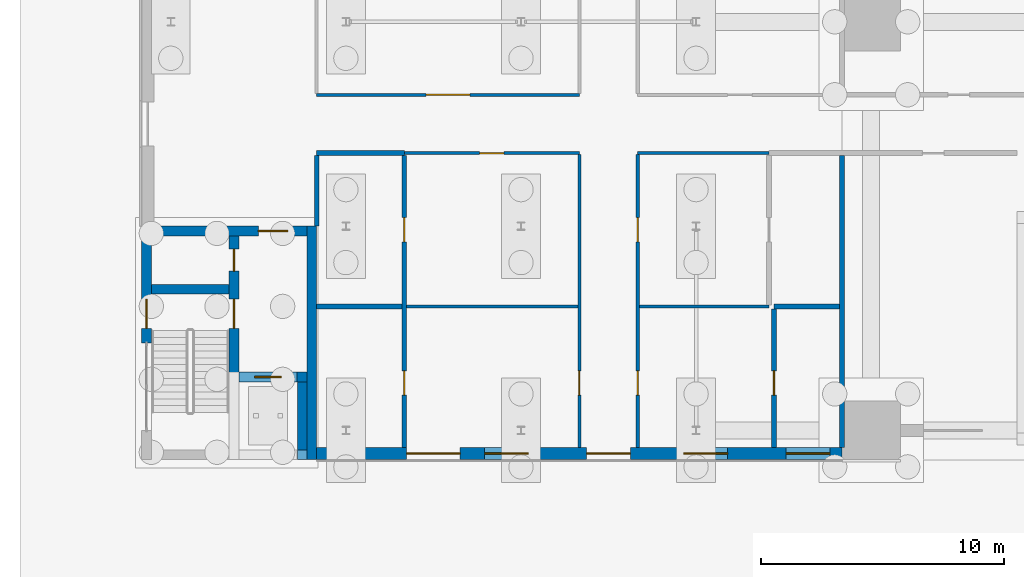
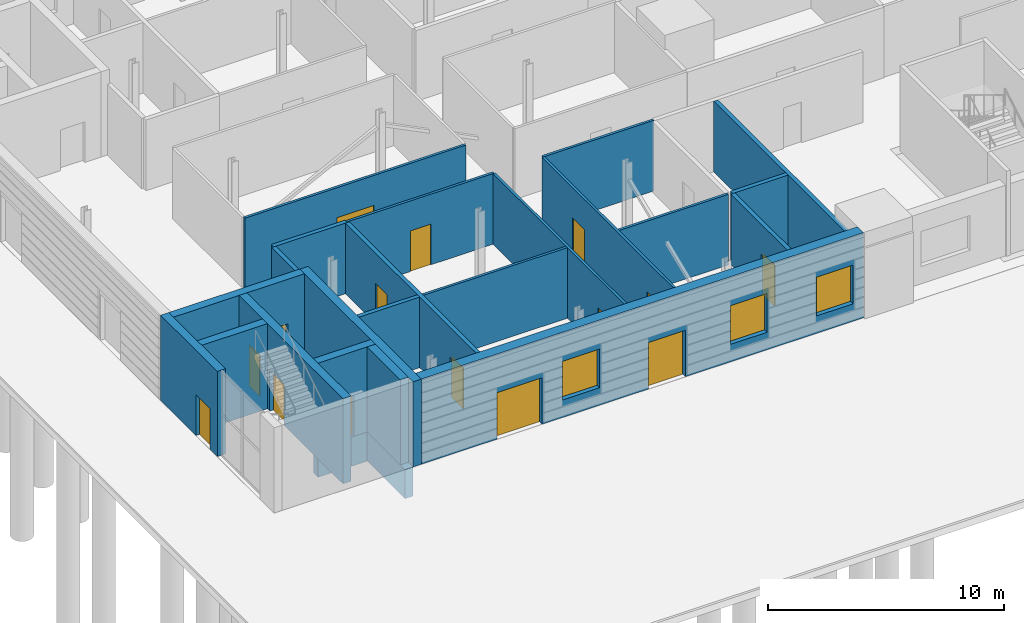
# One storey, part 77 of 139: 24 walls, 15 doors, 3 windows, 18 openings.
"""IFC4 building model written with IfcOpenShell, lengths in metres."""

from ifc_helpers import new_model, si_unit, direction, frame, frame_2d, origin, place, context, subcontext, project, spatial, rectangle, extrude, material, layer, layer_set, type_object, element, fill, save


model = new_model("IFC4")

# Units and contexts
model_context = context("Model", 3, precision=1e-05, world=origin(), true_north=direction((0.0, 1.0)))
body_context = subcontext(model_context, "Body", "Model", "MODEL_VIEW")
ifc_project = project(units=[si_unit("LENGTHUNIT", "METRE"), si_unit("AREAUNIT", "SQUARE_METRE"), si_unit("VOLUMEUNIT", "CUBIC_METRE"), si_unit("PLANEANGLEUNIT", "RADIAN"), si_unit("MASSUNIT", "GRAM", prefix="KILO")], contexts=[model_context])

# Site, building, storey
site_placement = place(None, origin())
site = spatial("IfcSite", under=ifc_project, at=site_placement, CompositionType="ELEMENT")
building_placement = place(site_placement, origin())
building = spatial("IfcBuilding", under=site, at=building_placement, Name="Verrick Yard Athletic Hall", CompositionType="ELEMENT")
storey_placement = place(building_placement, origin())
storey = spatial("IfcBuildingStorey", under=building, at=storey_placement, Name="L00", CompositionType="ELEMENT", Elevation=0.0)

# Wall, openings, doors
ifc_material_1 = material(Name="Concrete 35 MPa", Category="concrete")
ifc_layer_1 = layer(ifc_material_1, 0.39990234375)
ifc_layer_set_1 = layer_set([ifc_layer_1], Name="Core wall CR400")
wall_type_1 = type_object("IfcWallType", Name="Core wall CR400", PredefinedType="SHEAR", material=ifc_layer_set_1)
wall_1_placement = place(storey_placement, frame((13.800048828125, 18.39990234375, 0.0), z_axis=(0.0, 0.0, 1.0), x_axis=(0.0, 1.0, 0.0)))
wall_1 = element("IfcWall", 1, at=wall_1_placement, inside=storey, type_object=wall_type_1, Name="CORE-CB1-WP-L00", PredefinedType="SHEAR", context=body_context, shape_type="SweptSolid", body=[
    extrude(rectangle(XDim=8.800048828125, YDim=0.39990234375, at=frame_2d((4.39990234375, 0.0))), origin(), (0.0, 0.0, 1.0), 4.39990234375),
])
opening_1_placement = place(wall_1_placement, frame((5.0, 0.0, 0.0)))
opening_1 = element("IfcOpeningElement", 2, at=opening_1_placement, cuts=wall_1, Name="Opening SD1", PredefinedType="OPENING", context=body_context, shape_type="SweptSolid", body=[
    extrude(rectangle(XDim=1.199951171875, YDim=2.10009765625, at=frame_2d((0.60009765625, 1.050048828125))), frame((0.0, 0.2099609375, 0.0), z_axis=(0.0, -1.0, 0.0), x_axis=(1.0, 0.0, 0.0)), (0.0, 0.0, 1.0), 0.419921875),
])
opening_2_placement = place(wall_1_placement, frame((7.35009765625, 0.0, 0.0)))
opening_2 = element("IfcOpeningElement", 3, at=opening_2_placement, cuts=wall_1, Name="Opening RD1", PredefinedType="OPENING", context=body_context, shape_type="SweptSolid", body=[
    extrude(rectangle(XDim=0.89990234375, YDim=2.10009765625, at=frame_2d((0.449951171875, 1.050048828125))), frame((0.0, 0.2099609375, 0.0), z_axis=(0.0, -1.0, 0.0), x_axis=(1.0, 0.0, 0.0)), (0.0, 0.0, 1.0), 0.419921875),
])
ifc_material_2 = material(Name="Hollow metal door leaf")
door_type_1 = type_object("IfcDoorType", Name="Core door RD1 900x2100", OperationType="NOTDEFINED", PredefinedType="DOOR", material=ifc_material_2)
door_1_placement = place(opening_2_placement, origin())
door_1 = element("IfcDoor", 4, at=door_1_placement, inside=storey, type_object=door_type_1, Name="CORE-CB1-WP-L00-DRD1-2620", OperationType="SINGLE_SWING_LEFT", OverallHeight=2.10009765625, OverallWidth=0.89990234375, PredefinedType="DOOR", context=body_context, shape_type="SweptSolid", body=[
    extrude(rectangle(XDim=0.89990234375, YDim=2.10009765625, at=frame_2d((0.449951171875, 1.050048828125))), frame((0.0, 0.02490234375, 0.0), z_axis=(0.0, -1.0, 0.0), x_axis=(1.0, 0.0, 0.0)), (0.0, 0.0, 1.0), 0.050048828125),
])
fill(opening_2, door_1)
door_type_2 = type_object("IfcDoorType", Name="Core door SD1 1200x2100", OperationType="NOTDEFINED", PredefinedType="DOOR", material=ifc_material_2)
door_2_placement = place(opening_1_placement, origin())
door_2 = element("IfcDoor", 5, at=door_2_placement, inside=storey, type_object=door_type_2, Name="CORE-CB1-WP-L00-DSD1-2400", OperationType="SINGLE_SWING_LEFT", OverallHeight=2.10009765625, OverallWidth=1.199951171875, PredefinedType="DOOR", context=body_context, shape_type="SweptSolid", body=[
    extrude(rectangle(XDim=1.199951171875, YDim=2.10009765625, at=frame_2d((0.60009765625, 1.050048828125))), frame((0.0, 0.02490234375, 0.0), z_axis=(0.0, -1.0, 0.0), x_axis=(1.0, 0.0, 0.0)), (0.0, 0.0, 1.0), 0.050048828125),
])
fill(opening_1, door_2)

# Wall
wall_2_placement = place(storey_placement, frame((10.39990234375, 25.0, 0.0), z_axis=(0.0, 0.0, 1.0), x_axis=(1.0, 0.0, 0.0)))
element("IfcWall", 6, at=wall_2_placement, inside=storey, type_object=wall_type_1, Name="CORE-CB1-WSN-L00", PredefinedType="SHEAR", context=body_context, shape_type="SweptSolid", body=[
    extrude(rectangle(XDim=3.2001953125, YDim=0.39990234375, at=frame_2d((1.60009765625, 0.0))), origin(), (0.0, 0.0, 1.0), 4.39990234375),
])

# Wall, opening, door
wall_3_placement = place(storey_placement, frame((14.0, 21.39990234375, 0.0), z_axis=(0.0, 0.0, 1.0), x_axis=(1.0, 0.0, 0.0)))
wall_3 = element("IfcWall", 7, at=wall_3_placement, inside=storey, type_object=wall_type_1, Name="CORE-CB1-WLN-L00", PredefinedType="SHEAR", context=body_context, shape_type="SweptSolid", body=[
    extrude(rectangle(XDim=2.800048828125, YDim=0.39990234375, at=frame_2d((1.39990234375, 0.0))), origin(), (0.0, 0.0, 1.0), 4.39990234375),
])
opening_3_placement = place(wall_3_placement, frame((0.64990234375, 0.0, 0.0)))
opening_3 = element("IfcOpeningElement", 8, at=opening_3_placement, cuts=wall_3, Name="Opening LD", PredefinedType="OPENING", context=body_context, shape_type="SweptSolid", body=[
    extrude(rectangle(XDim=1.10009765625, YDim=2.10009765625, at=frame_2d((0.550048828125, 1.050048828125))), frame((0.0, 0.2099609375, 0.0), z_axis=(0.0, -1.0, 0.0), x_axis=(1.0, 0.0, 0.0)), (0.0, 0.0, 1.0), 0.419921875),
])
ifc_material_3 = material(Name="Stainless steel landing door", Category="steel")
door_type_3 = type_object("IfcDoorType", Name="Lift landing door LD 1100x2100", OperationType="NOTDEFINED", PredefinedType="DOOR", material=ifc_material_3)
door_3_placement = place(opening_3_placement, origin())
door_3 = element("IfcDoor", 9, at=door_3_placement, inside=storey, type_object=door_type_3, Name="Lift landing door", OperationType="SLIDING_TO_LEFT", OverallHeight=2.10009765625, OverallWidth=1.10009765625, PredefinedType="DOOR", context=body_context, shape_type="SweptSolid", body=[
    extrude(rectangle(XDim=1.10009765625, YDim=2.10009765625, at=frame_2d((0.550048828125, 1.050048828125))), frame((0.0, 0.02490234375, 0.0), z_axis=(0.0, -1.0, 0.0), x_axis=(1.0, 0.0, 0.0)), (0.0, 0.0, 1.0), 0.050048828125),
])
fill(opening_3, door_3)

# Walls
wall_4_placement = place(storey_placement, frame((16.60009765625, 18.39990234375, 0.0), z_axis=(0.0, 0.0, 1.0), x_axis=(0.0, 1.0, 0.0)))
element("IfcWall", 10, at=wall_4_placement, inside=storey, type_object=wall_type_1, Name="CORE-CB1-WLE-L00", PredefinedType="SHEAR", context=body_context, shape_type="SweptSolid", body=[
    extrude(rectangle(XDim=2.800048828125, YDim=0.39990234375, at=frame_2d((1.39990234375, 0.0))), origin(), (0.0, 0.0, 1.0), 4.39990234375),
])
wall_5_placement = place(storey_placement, frame((16.60009765625, 18.0, -1.5), z_axis=(0.0, 0.0, 1.0), x_axis=(0.0, 1.0, 0.0)))
element("IfcWall", 11, at=wall_5_placement, inside=storey, type_object=wall_type_1, Name="CORE-LF-CB1-PWE", PredefinedType="SHEAR", context=body_context, shape_type="SweptSolid", body=[
    extrude(rectangle(XDim=3.60009765625, YDim=0.39990234375, at=frame_2d((1.800048828125, 0.0))), origin(), (0.0, 0.0, 1.0), 1.5),
])
wall_6_placement = place(storey_placement, frame((14.0, 21.39990234375, -1.5), z_axis=(0.0, 0.0, 1.0), x_axis=(1.0, 0.0, 0.0)))
element("IfcWall", 12, at=wall_6_placement, inside=storey, type_object=wall_type_1, Name="CORE-LF-CB1-PWN", PredefinedType="SHEAR", context=body_context, shape_type="SweptSolid", body=[
    extrude(rectangle(XDim=2.39990234375, YDim=0.39990234375, at=frame_2d((1.199951171875, 0.0))), origin(), (0.0, 0.0, 1.0), 1.5),
])

# Wall, opening, door
ifc_layer_2 = layer(ifc_material_1, 0.39990234375)
ifc_layer_set_2 = layer_set([ifc_layer_2], Name="External core wall CR400")
wall_type_2 = type_object("IfcWallType", Name="External core wall CR400", PredefinedType="SHEAR", material=ifc_layer_set_2)
wall_7_placement = place(storey_placement, frame((10.199951171875, 22.800048828125, 0.0), z_axis=(0.0, 0.0, 1.0), x_axis=(0.0, 1.0, 0.0)))
wall_7 = element("IfcWall", 13, at=wall_7_placement, inside=storey, type_object=wall_type_2, Name="CORE-CB1-WW-L00-1", PredefinedType="SHEAR", context=body_context, shape_type="SweptSolid", body=[
    extrude(rectangle(XDim=4.800048828125, YDim=0.39990234375, at=frame_2d((2.39990234375, 0.0))), origin(), (0.0, 0.0, 1.0), 4.39990234375),
])
opening_4_placement = place(wall_7_placement, frame((0.60009765625, 0.0, 0.0)))
opening_4 = element("IfcOpeningElement", 14, at=opening_4_placement, cuts=wall_7, Name="Opening XD1", PredefinedType="OPENING", context=body_context, shape_type="SweptSolid", body=[
    extrude(rectangle(XDim=1.199951171875, YDim=2.10009765625, at=frame_2d((0.60009765625, 1.050048828125))), frame((0.0, 0.2099609375, 0.0), z_axis=(0.0, -1.0, 0.0), x_axis=(1.0, 0.0, 0.0)), (0.0, 0.0, 1.0), 0.419921875),
])
ifc_material_4 = material(Name="Aluminium door leaf", Category="aluminium")
door_type_4 = type_object("IfcDoorType", Name="Core door XD1 1200x2100", OperationType="NOTDEFINED", PredefinedType="DOOR", material=ifc_material_4)
door_4_placement = place(opening_4_placement, origin())
door_4 = element("IfcDoor", 15, at=door_4_placement, inside=storey, type_object=door_type_4, Name="CORE-CB1-WW-L00-1-DXD1-2400", OperationType="SINGLE_SWING_LEFT", OverallHeight=2.10009765625, OverallWidth=1.199951171875, PredefinedType="DOOR", context=body_context, shape_type="SweptSolid", body=[
    extrude(rectangle(XDim=1.199951171875, YDim=2.10009765625, at=frame_2d((0.60009765625, 1.050048828125))), frame((0.0, 0.02490234375, 0.0), z_axis=(0.0, -1.0, 0.0), x_axis=(1.0, 0.0, 0.0)), (0.0, 0.0, 1.0), 0.050048828125),
])
fill(opening_4, door_4)

# Wall
wall_8_placement = place(storey_placement, frame((17.0, 18.0, 0.0), z_axis=(0.0, 0.0, 1.0), x_axis=(0.0, 1.0, 0.0)))
element("IfcWall", 16, at=wall_8_placement, inside=storey, type_object=wall_type_2, Name="CORE-CB1-WE-L00", PredefinedType="SHEAR", context=body_context, shape_type="SweptSolid", body=[
    extrude(rectangle(XDim=9.60009765625, YDim=0.39990234375, at=frame_2d((4.800048828125, 0.0))), origin(), (0.0, 0.0, 1.0), 4.39990234375),
])

# Wall, opening, door
wall_9_placement = place(storey_placement, frame((10.39990234375, 27.39990234375, 0.0), z_axis=(0.0, 0.0, 1.0), x_axis=(1.0, 0.0, 0.0)))
wall_9 = element("IfcWall", 17, at=wall_9_placement, inside=storey, type_object=wall_type_2, Name="CORE-CB1-WN-L00", PredefinedType="SHEAR", context=body_context, shape_type="SweptSolid", body=[
    extrude(rectangle(XDim=6.400146484375, YDim=0.39990234375, at=frame_2d((3.2001953125, 0.0))), origin(), (0.0, 0.0, 1.0), 4.39990234375),
])
opening_5_placement = place(wall_9_placement, frame((4.39990234375, 0.0, 0.0)))
opening_5 = element("IfcOpeningElement", 18, at=opening_5_placement, cuts=wall_9, Name="Opening LB1", PredefinedType="OPENING", context=body_context, shape_type="SweptSolid", body=[
    extrude(rectangle(XDim=1.199951171875, YDim=2.10009765625, at=frame_2d((0.60009765625, 1.050048828125))), frame((0.0, 0.2099609375, 0.0), z_axis=(0.0, -1.0, 0.0), x_axis=(1.0, 0.0, 0.0)), (0.0, 0.0, 1.0), 0.419921875),
])
door_type_5 = type_object("IfcDoorType", Name="Core door LB1 1200x2100", OperationType="NOTDEFINED", PredefinedType="DOOR", material=ifc_material_2)
door_5_placement = place(opening_5_placement, origin())
door_5 = element("IfcDoor", 19, at=door_5_placement, inside=storey, type_object=door_type_5, Name="CORE-CB1-WN-L00-DLB1-1540", OperationType="SINGLE_SWING_LEFT", OverallHeight=2.10009765625, OverallWidth=1.199951171875, PredefinedType="DOOR", context=body_context, shape_type="SweptSolid", body=[
    extrude(rectangle(XDim=1.199951171875, YDim=2.10009765625, at=frame_2d((0.60009765625, 1.050048828125))), frame((0.0, 0.02490234375, 0.0), z_axis=(0.0, -1.0, 0.0), x_axis=(1.0, 0.0, 0.0)), (0.0, 0.0, 1.0), 0.050048828125),
])
fill(opening_5, door_5)

# Walls
ifc_material_5 = material(Name="Concrete masonry block 15 MPa", Category="masonry")
ifc_layer_3 = layer(ifc_material_5, 0.199951171875)
ifc_layer_set_3 = layer_set([ifc_layer_3], Name="PW1 Block partition 200")
wall_type_3 = type_object("IfcWallType", Name="PW1 Block partition 200", PredefinedType="PARTITIONING", material=ifc_layer_set_3)
wall_10_placement = place(storey_placement, frame((17.199951171875, 24.300048828125, 0.0), z_axis=(0.0, 0.0, 1.0), x_axis=(1.0, 0.0, 0.0)))
element("IfcWall", 20, at=wall_10_placement, inside=storey, type_object=wall_type_3, Name="Partition PW1", PredefinedType="PARTITIONING", context=body_context, shape_type="SweptSolid", body=[
    extrude(rectangle(XDim=3.5, YDim=0.199951171875, at=frame_2d((1.75, 0.0))), origin(), (0.0, 0.0, 1.0), 3.64990234375),
])
wall_11_placement = place(storey_placement, frame((36.0, 24.300048828125, 0.0), z_axis=(0.0, 0.0, 1.0), x_axis=(1.0, 0.0, 0.0)))
element("IfcWall", 21, at=wall_11_placement, inside=storey, type_object=wall_type_3, Name="Partition PW1", PredefinedType="PARTITIONING", context=body_context, shape_type="SweptSolid", body=[
    extrude(rectangle(XDim=2.699951171875, YDim=0.199951171875, at=frame_2d((1.35009765625, 0.0))), origin(), (0.0, 0.0, 1.0), 3.64990234375),
])
wall_12_placement = place(storey_placement, frame((17.199951171875, 30.60009765625, 0.0), z_axis=(0.0, 0.0, 1.0), x_axis=(1.0, 0.0, 0.0)))
element("IfcWall", 22, at=wall_12_placement, inside=storey, type_object=wall_type_3, Name="Partition PW1", PredefinedType="PARTITIONING", context=body_context, shape_type="SweptSolid", body=[
    extrude(rectangle(XDim=3.60009765625, YDim=0.199951171875, at=frame_2d((1.800048828125, 0.0))), origin(), (0.0, 0.0, 1.0), 3.64990234375),
])
wall_13_placement = place(storey_placement, frame((17.199951171875, 27.60009765625, 0.0), z_axis=(0.0, 0.0, 1.0), x_axis=(0.0, 1.0, 0.0)))
element("IfcWall", 23, at=wall_13_placement, inside=storey, type_object=wall_type_3, Name="Partition PW1", PredefinedType="PARTITIONING", context=body_context, shape_type="SweptSolid", body=[
    extrude(rectangle(XDim=2.89990234375, YDim=0.199951171875, at=frame_2d((1.449951171875, 0.0))), origin(), (0.0, 0.0, 1.0), 3.64990234375),
])

# Wall, openings, doors
wall_14_placement = place(storey_placement, frame((20.800048828125, 18.489990234375, 0.0), z_axis=(0.0, 0.0, 1.0), x_axis=(0.0, 1.0, 0.0)))
wall_14 = element("IfcWall", 24, at=wall_14_placement, inside=storey, type_object=wall_type_3, Name="Partition PW1", PredefinedType="PARTITIONING", context=body_context, shape_type="SweptSolid", body=[
    extrude(rectangle(XDim=12.010009765625, YDim=0.199951171875, at=frame_2d((6.0048828125, 0.0))), origin(), (0.0, 0.0, 1.0), 3.64990234375),
])
opening_6_placement = place(wall_14_placement, frame((2.159912109375, 0.0, 0.0)))
opening_6 = element("IfcOpeningElement", 25, at=opening_6_placement, cuts=wall_14, Name="Opening D1", PredefinedType="OPENING", context=body_context, shape_type="SweptSolid", body=[
    extrude(rectangle(XDim=1.0, YDim=2.10009765625, at=frame_2d((0.5, 1.050048828125))), frame((0.0, 0.10986328125, 0.0), z_axis=(0.0, -1.0, 0.0), x_axis=(1.0, 0.0, 0.0)), (0.0, 0.0, 1.0), 0.219970703125),
])
opening_7_placement = place(wall_14_placement, frame((8.4599609375, 0.0, 0.0)))
opening_7 = element("IfcOpeningElement", 26, at=opening_7_placement, cuts=wall_14, Name="Opening D1", PredefinedType="OPENING", context=body_context, shape_type="SweptSolid", body=[
    extrude(rectangle(XDim=1.0, YDim=2.10009765625, at=frame_2d((0.5, 1.050048828125))), frame((0.0, 0.10986328125, 0.0), z_axis=(0.0, -1.0, 0.0), x_axis=(1.0, 0.0, 0.0)), (0.0, 0.0, 1.0), 0.219970703125),
])
ifc_material_6 = material(Name="Timber door leaf in steel frame", Category="steel")
door_type_6 = type_object("IfcDoorType", Name="D1 Single door 1000 x 2100", OperationType="NOTDEFINED", PredefinedType="DOOR", material=ifc_material_6)
door_6_placement = place(opening_6_placement, origin())
door_6 = element("IfcDoor", 27, at=door_6_placement, inside=storey, type_object=door_type_6, Name="D1 Shower Room 1", OperationType="SINGLE_SWING_LEFT", OverallHeight=2.10009765625, OverallWidth=1.0, PredefinedType="DOOR", context=body_context, shape_type="SweptSolid", body=[
    extrude(rectangle(XDim=1.0, YDim=2.10009765625, at=frame_2d((0.5, 1.050048828125))), frame((0.0, 0.02490234375, 0.0), z_axis=(0.0, -1.0, 0.0), x_axis=(1.0, 0.0, 0.0)), (0.0, 0.0, 1.0), 0.050048828125),
])
fill(opening_6, door_6)
door_7_placement = place(opening_7_placement, origin())
door_7 = element("IfcDoor", 28, at=door_7_placement, inside=storey, type_object=door_type_6, Name="D1 Shower Room 2", OperationType="SINGLE_SWING_RIGHT", OverallHeight=2.10009765625, OverallWidth=1.0, PredefinedType="DOOR", context=body_context, shape_type="SweptSolid", body=[
    extrude(rectangle(XDim=1.0, YDim=2.10009765625, at=frame_2d((0.5, 1.050048828125))), frame((0.0, 0.02490234375, 0.0), z_axis=(0.0, -1.0, 0.0), x_axis=(1.0, 0.0, 0.0)), (0.0, 0.0, 1.0), 0.050048828125),
])
fill(opening_7, door_7)

# Wall, opening, door
wall_15_placement = place(storey_placement, frame((36.0, 18.489990234375, 0.0), z_axis=(0.0, 0.0, 1.0), x_axis=(0.0, 1.0, 0.0)))
wall_15 = element("IfcWall", 29, at=wall_15_placement, inside=storey, type_object=wall_type_3, Name="Partition PW1", PredefinedType="PARTITIONING", context=body_context, shape_type="SweptSolid", body=[
    extrude(rectangle(XDim=5.7099609375, YDim=0.199951171875, at=frame_2d((2.85498046875, 0.0))), origin(), (0.0, 0.0, 1.0), 3.64990234375),
])
opening_8_placement = place(wall_15_placement, frame((2.159912109375, 0.0, 0.0)))
opening_8 = element("IfcOpeningElement", 30, at=opening_8_placement, cuts=wall_15, Name="Opening D1", PredefinedType="OPENING", context=body_context, shape_type="SweptSolid", body=[
    extrude(rectangle(XDim=1.0, YDim=2.10009765625, at=frame_2d((0.5, 1.050048828125))), frame((0.0, 0.10986328125, 0.0), z_axis=(0.0, -1.0, 0.0), x_axis=(1.0, 0.0, 0.0)), (0.0, 0.0, 1.0), 0.219970703125),
])
door_8_placement = place(opening_8_placement, origin())
door_8 = element("IfcDoor", 31, at=door_8_placement, inside=storey, type_object=door_type_6, Name="D1 Shower Room 5", OperationType="SINGLE_SWING_LEFT", OverallHeight=2.10009765625, OverallWidth=1.0, PredefinedType="DOOR", context=body_context, shape_type="SweptSolid", body=[
    extrude(rectangle(XDim=1.0, YDim=2.10009765625, at=frame_2d((0.5, 1.050048828125))), frame((0.0, 0.02490234375, 0.0), z_axis=(0.0, -1.0, 0.0), x_axis=(1.0, 0.0, 0.0)), (0.0, 0.0, 1.0), 0.050048828125),
])
fill(opening_8, door_8)

# Walls
ifc_material_7 = material(Name="Gypsum plasterboard on light-gauge studs")
ifc_layer_4 = layer(ifc_material_7, 0.125)
ifc_layer_set_4 = layer_set([ifc_layer_4], Name="PW2 Stud partition 125")
wall_type_4 = type_object("IfcWallType", Name="PW2 Stud partition 125", PredefinedType="PARTITIONING", material=ifc_layer_set_4)
wall_16_placement = place(storey_placement, frame((20.89990234375, 24.300048828125, 0.0), z_axis=(0.0, 0.0, 1.0), x_axis=(1.0, 0.0, 0.0)))
element("IfcWall", 32, at=wall_16_placement, inside=storey, type_object=wall_type_4, Name="Partition PW2", PredefinedType="PARTITIONING", context=body_context, shape_type="SweptSolid", body=[
    extrude(rectangle(XDim=7.03759765625, YDim=0.125, at=frame_2d((3.518798828125, 0.0))), origin(), (0.0, 0.0, 1.0), 3.64990234375),
])
wall_17_placement = place(storey_placement, frame((30.46240234375, 24.300048828125, 0.0), z_axis=(0.0, 0.0, 1.0), x_axis=(1.0, 0.0, 0.0)))
element("IfcWall", 33, at=wall_17_placement, inside=storey, type_object=wall_type_4, Name="Partition PW2", PredefinedType="PARTITIONING", context=body_context, shape_type="SweptSolid", body=[
    extrude(rectangle(XDim=5.337646484375, YDim=0.125, at=frame_2d((2.6689453125, 0.0))), origin(), (0.0, 0.0, 1.0), 3.64990234375),
])

# Wall, opening, door
wall_18_placement = place(storey_placement, frame((20.800048828125, 30.60009765625, 0.0), z_axis=(0.0, 0.0, 1.0), x_axis=(1.0, 0.0, 0.0)))
wall_18 = element("IfcWall", 34, at=wall_18_placement, inside=storey, type_object=wall_type_4, Name="Partition PW2", PredefinedType="PARTITIONING", context=body_context, shape_type="SweptSolid", body=[
    extrude(rectangle(XDim=7.199951171875, YDim=0.125, at=frame_2d((3.60009765625, 0.0))), origin(), (0.0, 0.0, 1.0), 3.64990234375),
])
opening_9_placement = place(wall_18_placement, frame((3.10009765625, 0.0, 0.0)))
opening_9 = element("IfcOpeningElement", 35, at=opening_9_placement, cuts=wall_18, Name="Opening D1", PredefinedType="OPENING", context=body_context, shape_type="SweptSolid", body=[
    extrude(rectangle(XDim=1.0, YDim=2.10009765625, at=frame_2d((0.5, 1.050048828125))), frame((0.0, 0.072509765625, 0.0), z_axis=(0.0, -1.0, 0.0), x_axis=(1.0, 0.0, 0.0)), (0.0, 0.0, 1.0), 0.14501953125),
])
door_9_placement = place(opening_9_placement, origin())
door_9 = element("IfcDoor", 36, at=door_9_placement, inside=storey, type_object=door_type_6, Name="D1 Team Changing Room 2", OperationType="SINGLE_SWING_LEFT", OverallHeight=2.10009765625, OverallWidth=1.0, PredefinedType="DOOR", context=body_context, shape_type="SweptSolid", body=[
    extrude(rectangle(XDim=1.0, YDim=2.10009765625, at=frame_2d((0.5, 1.050048828125))), frame((0.0, 0.02490234375, 0.0), z_axis=(0.0, -1.0, 0.0), x_axis=(1.0, 0.0, 0.0)), (0.0, 0.0, 1.0), 0.050048828125),
])
fill(opening_9, door_9)

# Wall
wall_19_placement = place(storey_placement, frame((30.39990234375, 30.60009765625, 0.0), z_axis=(0.0, 0.0, 1.0), x_axis=(1.0, 0.0, 0.0)))
element("IfcWall", 37, at=wall_19_placement, inside=storey, type_object=wall_type_4, Name="Partition PW2", PredefinedType="PARTITIONING", context=body_context, shape_type="SweptSolid", body=[
    extrude(rectangle(XDim=5.400146484375, YDim=0.125, at=frame_2d((2.7001953125, 0.0))), origin(), (0.0, 0.0, 1.0), 3.64990234375),
])

# Wall, opening, door
wall_20_placement = place(storey_placement, frame((17.199951171875, 33.0, 0.0), z_axis=(0.0, 0.0, 1.0), x_axis=(1.0, 0.0, 0.0)))
wall_20 = element("IfcWall", 38, at=wall_20_placement, inside=storey, type_object=wall_type_4, Name="Partition PW2", PredefinedType="PARTITIONING", context=body_context, shape_type="SweptSolid", body=[
    extrude(rectangle(XDim=10.800048828125, YDim=0.125, at=frame_2d((5.39990234375, 0.0))), origin(), (0.0, 0.0, 1.0), 3.64990234375),
])
opening_10_placement = place(wall_20_placement, frame((4.5, 0.0, 0.0)))
opening_10 = element("IfcOpeningElement", 39, at=opening_10_placement, cuts=wall_20, Name="Opening D3", PredefinedType="OPENING", context=body_context, shape_type="SweptSolid", body=[
    extrude(rectangle(XDim=1.800048828125, YDim=2.10009765625, at=frame_2d((0.89990234375, 1.050048828125))), frame((0.0, 0.072509765625, 0.0), z_axis=(0.0, -1.0, 0.0), x_axis=(1.0, 0.0, 0.0)), (0.0, 0.0, 1.0), 0.14501953125),
])
door_type_7 = type_object("IfcDoorType", Name="D3 Double door 1800 x 2100", OperationType="NOTDEFINED", PredefinedType="DOOR", material=ifc_material_6)
door_10_placement = place(opening_10_placement, origin())
door_10 = element("IfcDoor", 40, at=door_10_placement, inside=storey, type_object=door_type_7, Name="D3 Locker Room", OperationType="DOUBLE_DOOR_SINGLE_SWING", OverallHeight=2.10009765625, OverallWidth=1.800048828125, PredefinedType="DOOR", context=body_context, shape_type="SweptSolid", body=[
    extrude(rectangle(XDim=1.800048828125, YDim=2.10009765625, at=frame_2d((0.89990234375, 1.050048828125))), frame((0.0, 0.02490234375, 0.0), z_axis=(0.0, -1.0, 0.0), x_axis=(1.0, 0.0, 0.0)), (0.0, 0.0, 1.0), 0.050048828125),
])
fill(opening_10, door_10)

wall_21_placement = place(storey_placement, frame((28.0, 18.489990234375, 0.0), z_axis=(0.0, 0.0, 1.0), x_axis=(0.0, 1.0, 0.0)))
wall_21 = element("IfcWall", 41, at=wall_21_placement, inside=storey, type_object=wall_type_4, Name="Partition PW2", PredefinedType="PARTITIONING", context=body_context, shape_type="SweptSolid", body=[
    extrude(rectangle(XDim=12.047607421875, YDim=0.125, at=frame_2d((6.02392578125, 0.0))), origin(), (0.0, 0.0, 1.0), 3.64990234375),
])
opening_11_placement = place(wall_21_placement, frame((2.159912109375, 0.0, 0.0)))
opening_11 = element("IfcOpeningElement", 42, at=opening_11_placement, cuts=wall_21, Name="Opening D1", PredefinedType="OPENING", context=body_context, shape_type="SweptSolid", body=[
    extrude(rectangle(XDim=1.0, YDim=2.10009765625, at=frame_2d((0.5, 1.050048828125))), frame((0.0, 0.072509765625, 0.0), z_axis=(0.0, -1.0, 0.0), x_axis=(1.0, 0.0, 0.0)), (0.0, 0.0, 1.0), 0.14501953125),
])
door_11_placement = place(opening_11_placement, origin())
door_11 = element("IfcDoor", 43, at=door_11_placement, inside=storey, type_object=door_type_6, Name="D1 Team Changing Room 1", OperationType="SINGLE_SWING_LEFT", OverallHeight=2.10009765625, OverallWidth=1.0, PredefinedType="DOOR", context=body_context, shape_type="SweptSolid", body=[
    extrude(rectangle(XDim=1.0, YDim=2.10009765625, at=frame_2d((0.5, 1.050048828125))), frame((0.0, 0.02490234375, 0.0), z_axis=(0.0, -1.0, 0.0), x_axis=(1.0, 0.0, 0.0)), (0.0, 0.0, 1.0), 0.050048828125),
])
fill(opening_11, door_11)

# Wall, openings, doors
wall_22_placement = place(storey_placement, frame((30.39990234375, 18.489990234375, 0.0), z_axis=(0.0, 0.0, 1.0), x_axis=(0.0, 1.0, 0.0)))
wall_22 = element("IfcWall", 44, at=wall_22_placement, inside=storey, type_object=wall_type_4, Name="Partition PW2", PredefinedType="PARTITIONING", context=body_context, shape_type="SweptSolid", body=[
    extrude(rectangle(XDim=12.047607421875, YDim=0.125, at=frame_2d((6.02392578125, 0.0))), origin(), (0.0, 0.0, 1.0), 3.64990234375),
])
opening_12_placement = place(wall_22_placement, frame((2.159912109375, 0.0, 0.0)))
opening_12 = element("IfcOpeningElement", 45, at=opening_12_placement, cuts=wall_22, Name="Opening D1", PredefinedType="OPENING", context=body_context, shape_type="SweptSolid", body=[
    extrude(rectangle(XDim=1.0, YDim=2.10009765625, at=frame_2d((0.5, 1.050048828125))), frame((0.0, 0.072509765625, 0.0), z_axis=(0.0, -1.0, 0.0), x_axis=(1.0, 0.0, 0.0)), (0.0, 0.0, 1.0), 0.14501953125),
])
opening_13_placement = place(wall_22_placement, frame((8.4599609375, 0.0, 0.0)))
opening_13 = element("IfcOpeningElement", 46, at=opening_13_placement, cuts=wall_22, Name="Opening D1", PredefinedType="OPENING", context=body_context, shape_type="SweptSolid", body=[
    extrude(rectangle(XDim=1.0, YDim=2.10009765625, at=frame_2d((0.5, 1.050048828125))), frame((0.0, 0.072509765625, 0.0), z_axis=(0.0, -1.0, 0.0), x_axis=(1.0, 0.0, 0.0)), (0.0, 0.0, 1.0), 0.14501953125),
])
door_12_placement = place(opening_12_placement, origin())
door_12 = element("IfcDoor", 47, at=door_12_placement, inside=storey, type_object=door_type_6, Name="D1 Officials Changing Room 1", OperationType="SINGLE_SWING_LEFT", OverallHeight=2.10009765625, OverallWidth=1.0, PredefinedType="DOOR", context=body_context, shape_type="SweptSolid", body=[
    extrude(rectangle(XDim=1.0, YDim=2.10009765625, at=frame_2d((0.5, 1.050048828125))), frame((0.0, 0.02490234375, 0.0), z_axis=(0.0, -1.0, 0.0), x_axis=(1.0, 0.0, 0.0)), (0.0, 0.0, 1.0), 0.050048828125),
])
fill(opening_12, door_12)
door_13_placement = place(opening_13_placement, origin())
door_13 = element("IfcDoor", 48, at=door_13_placement, inside=storey, type_object=door_type_6, Name="D1 Accessible Changing Room", OperationType="SINGLE_SWING_RIGHT", OverallHeight=2.10009765625, OverallWidth=1.0, PredefinedType="DOOR", context=body_context, shape_type="SweptSolid", body=[
    extrude(rectangle(XDim=1.0, YDim=2.10009765625, at=frame_2d((0.5, 1.050048828125))), frame((0.0, 0.02490234375, 0.0), z_axis=(0.0, -1.0, 0.0), x_axis=(1.0, 0.0, 0.0)), (0.0, 0.0, 1.0), 0.050048828125),
])
fill(opening_13, door_13)

# Wall
ifc_layer_5 = layer(ifc_material_5, 0.199951171875)
ifc_layer_set_5 = layer_set([ifc_layer_5], Name="PW3 Fire-rated block partition 200")
wall_type_5 = type_object("IfcWallType", Name="PW3 Fire-rated block partition 200", PredefinedType="PARTITIONING", material=ifc_layer_set_5)
wall_23_placement = place(storey_placement, frame((38.800048828125, 18.489990234375, 0.0), z_axis=(0.0, 0.0, 1.0), x_axis=(0.0, 1.0, 0.0)))
element("IfcWall", 49, at=wall_23_placement, inside=storey, type_object=wall_type_5, Name="Partition PW3", PredefinedType="PARTITIONING", context=body_context, shape_type="SweptSolid", body=[
    extrude(rectangle(XDim=12.010009765625, YDim=0.199951171875, at=frame_2d((6.0048828125, 0.0))), origin(), (0.0, 0.0, 1.0), 3.64990234375),
])

# Wall, openings, doors, windows
ifc_material_8 = material(Name="Tyndall-stone-look precast cladding", Category="masonry")
ifc_layer_6 = layer(ifc_material_8, 0.125, Name="Tyndall-stone-look precast cladding")
ifc_material_9 = material(Name="Mineral wool insulation")
ifc_layer_7 = layer(ifc_material_9, 0.125, Name="Mineral wool insulation")
ifc_layer_8 = layer(ifc_material_1, 0.25, Name="Concrete 35 MPa")
ifc_layer_set_6 = layer_set([ifc_layer_6, ifc_layer_7, ifc_layer_8], Name="Wing base wall")
wall_type_6 = type_object("IfcWallType", Name="Wing base wall", PredefinedType="SOLIDWALL", material=ifc_layer_set_6)
wall_24_placement = place(storey_placement, frame((17.199951171875, 18.25, 0.0), z_axis=(0.0, 0.0, 1.0), x_axis=(1.0, 0.0, 0.0)))
wall_24 = element("IfcWall", 50, at=wall_24_placement, inside=storey, type_object=wall_type_6, Name="ENVB-WS-L00-1", PredefinedType="SOLIDWALL", context=body_context, shape_type="SweptSolid", body=[
    extrude(rectangle(XDim=21.60009765625, YDim=0.5, at=frame_2d((10.800048828125, 0.0))), origin(), (0.0, 0.0, 1.0), 4.39990234375),
])
opening_14_placement = place(wall_24_placement, frame((6.89990234375, 0.0, 0.89990234375)))
opening_14 = element("IfcOpeningElement", 51, at=opening_14_placement, cuts=wall_24, Name="Opening W21", PredefinedType="OPENING", context=body_context, shape_type="SweptSolid", body=[
    extrude(rectangle(XDim=1.800048828125, YDim=2.0, at=frame_2d((0.89990234375, 1.0))), frame((0.0, 0.260009765625, 0.0), z_axis=(0.0, -1.0, 0.0), x_axis=(1.0, 0.0, 0.0)), (0.0, 0.0, 1.0), 0.52001953125),
])
opening_15_placement = place(wall_24_placement, frame((15.10009765625, 0.0, 0.89990234375)))
opening_15 = element("IfcOpeningElement", 52, at=opening_15_placement, cuts=wall_24, Name="Opening W21", PredefinedType="OPENING", context=body_context, shape_type="SweptSolid", body=[
    extrude(rectangle(XDim=1.800048828125, YDim=2.0, at=frame_2d((0.89990234375, 1.0))), frame((0.0, 0.260009765625, 0.0), z_axis=(0.0, -1.0, 0.0), x_axis=(1.0, 0.0, 0.0)), (0.0, 0.0, 1.0), 0.52001953125),
])
opening_16_placement = place(wall_24_placement, frame((19.300048828125, 0.0, 0.89990234375)))
opening_16 = element("IfcOpeningElement", 53, at=opening_16_placement, cuts=wall_24, Name="Opening W21", PredefinedType="OPENING", context=body_context, shape_type="SweptSolid", body=[
    extrude(rectangle(XDim=1.800048828125, YDim=2.0, at=frame_2d((0.89990234375, 1.0))), frame((0.0, 0.260009765625, 0.0), z_axis=(0.0, -1.0, 0.0), x_axis=(1.0, 0.0, 0.0)), (0.0, 0.0, 1.0), 0.52001953125),
])
opening_17_placement = place(wall_24_placement, frame((3.699951171875, 0.0, 0.0)))
opening_17 = element("IfcOpeningElement", 54, at=opening_17_placement, cuts=wall_24, Name="Opening ED23", PredefinedType="OPENING", context=body_context, shape_type="SweptSolid", body=[
    extrude(rectangle(XDim=2.199951171875, YDim=2.39990234375, at=frame_2d((1.10009765625, 1.199951171875))), frame((0.0, 0.260009765625, 0.0), z_axis=(0.0, -1.0, 0.0), x_axis=(1.0, 0.0, 0.0)), (0.0, 0.0, 1.0), 0.52001953125),
])
opening_18_placement = place(wall_24_placement, frame((11.10009765625, 0.0, 0.0)))
opening_18 = element("IfcOpeningElement", 55, at=opening_18_placement, cuts=wall_24, Name="Opening ED26", PredefinedType="OPENING", context=body_context, shape_type="SweptSolid", body=[
    extrude(rectangle(XDim=1.800048828125, YDim=2.39990234375, at=frame_2d((0.89990234375, 1.199951171875))), frame((0.0, 0.260009765625, 0.0), z_axis=(0.0, -1.0, 0.0), x_axis=(1.0, 0.0, 0.0)), (0.0, 0.0, 1.0), 0.52001953125),
])
ifc_material_10 = material(Name="Powder-coated aluminium door leaf", Category="aluminium")
door_type_8 = type_object("IfcDoorType", Name="Exterior double door 2200", OperationType="NOTDEFINED", PredefinedType="DOOR", material=ifc_material_10)
door_14_placement = place(opening_17_placement, origin())
door_14 = element("IfcDoor", 56, at=door_14_placement, inside=storey, type_object=door_type_8, Name="Wing entrance door", OperationType="DOUBLE_DOOR_SINGLE_SWING", OverallHeight=2.39990234375, OverallWidth=2.199951171875, PredefinedType="DOOR", context=body_context, shape_type="SweptSolid", body=[
    extrude(rectangle(XDim=2.199951171875, YDim=2.39990234375, at=frame_2d((1.10009765625, 1.199951171875))), frame((0.0, 0.02490234375, 0.0), z_axis=(0.0, -1.0, 0.0), x_axis=(1.0, 0.0, 0.0)), (0.0, 0.0, 1.0), 0.050048828125),
])
fill(opening_17, door_14)
door_type_9 = type_object("IfcDoorType", Name="Exterior garden door 1800", OperationType="NOTDEFINED", PredefinedType="DOOR", material=ifc_material_10)
door_15_placement = place(opening_18_placement, origin())
door_15 = element("IfcDoor", 57, at=door_15_placement, inside=storey, type_object=door_type_9, Name="Wing exit door south", OperationType="DOUBLE_DOOR_SINGLE_SWING", OverallHeight=2.39990234375, OverallWidth=1.800048828125, PredefinedType="DOOR", context=body_context, shape_type="SweptSolid", body=[
    extrude(rectangle(XDim=1.800048828125, YDim=2.39990234375, at=frame_2d((0.89990234375, 1.199951171875))), frame((0.0, 0.02490234375, 0.0), z_axis=(0.0, -1.0, 0.0), x_axis=(1.0, 0.0, 0.0)), (0.0, 0.0, 1.0), 0.050048828125),
])
fill(opening_18, door_15)
ifc_material_11 = material(Name="Anodised aluminium frame with insulated glazing", Category="aluminium")
window_type = type_object("IfcWindowType", Name="Wing window 1800x2000", PartitioningType="NOTDEFINED", PredefinedType="WINDOW", material=ifc_material_11)
window_1_placement = place(opening_14_placement, origin())
window_1 = element("IfcWindow", 58, at=window_1_placement, inside=storey, type_object=window_type, Name="ENVB-WS-L00-1-W250", OverallHeight=2.0, OverallWidth=1.800048828125, PartitioningType="SINGLE_PANEL", PredefinedType="WINDOW", context=body_context, shape_type="SweptSolid", body=[
    extrude(rectangle(XDim=1.800048828125, YDim=2.0, at=frame_2d((0.89990234375, 1.0))), frame((0.0, 0.030029296875, 0.0), z_axis=(0.0, -1.0, 0.0), x_axis=(1.0, 0.0, 0.0)), (0.0, 0.0, 1.0), 0.06005859375),
])
fill(opening_14, window_1)
window_2_placement = place(opening_15_placement, origin())
window_2 = element("IfcWindow", 59, at=window_2_placement, inside=storey, type_object=window_type, Name="ENVB-WS-L00-1-W332", OverallHeight=2.0, OverallWidth=1.800048828125, PartitioningType="SINGLE_PANEL", PredefinedType="WINDOW", context=body_context, shape_type="SweptSolid", body=[
    extrude(rectangle(XDim=1.800048828125, YDim=2.0, at=frame_2d((0.89990234375, 1.0))), frame((0.0, 0.030029296875, 0.0), z_axis=(0.0, -1.0, 0.0), x_axis=(1.0, 0.0, 0.0)), (0.0, 0.0, 1.0), 0.06005859375),
])
fill(opening_15, window_2)
window_3_placement = place(opening_16_placement, origin())
window_3 = element("IfcWindow", 60, at=window_3_placement, inside=storey, type_object=window_type, Name="ENVB-WS-L00-1-W374", OverallHeight=2.0, OverallWidth=1.800048828125, PartitioningType="SINGLE_PANEL", PredefinedType="WINDOW", context=body_context, shape_type="SweptSolid", body=[
    extrude(rectangle(XDim=1.800048828125, YDim=2.0, at=frame_2d((0.89990234375, 1.0))), frame((0.0, 0.030029296875, 0.0), z_axis=(0.0, -1.0, 0.0), x_axis=(1.0, 0.0, 0.0)), (0.0, 0.0, 1.0), 0.06005859375),
])
fill(opening_16, window_3)

save(model, "model.ifc")
